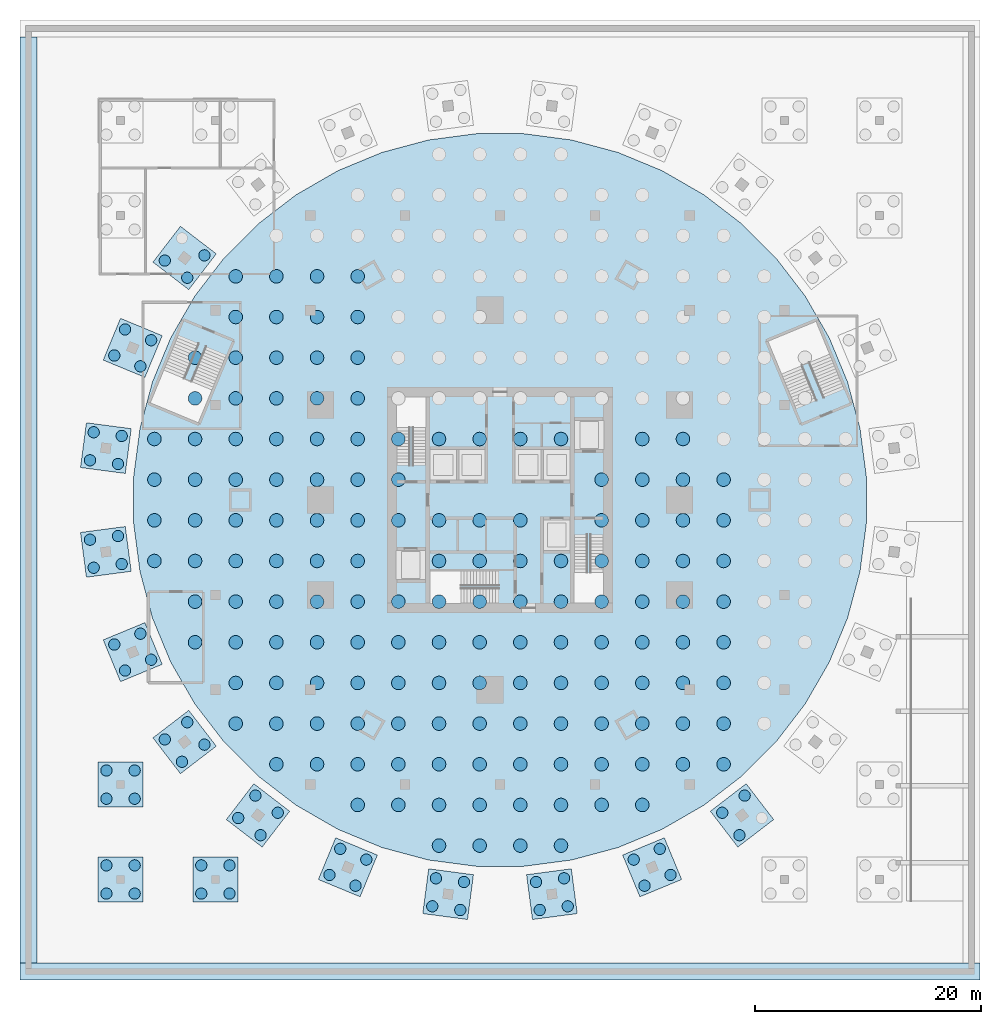
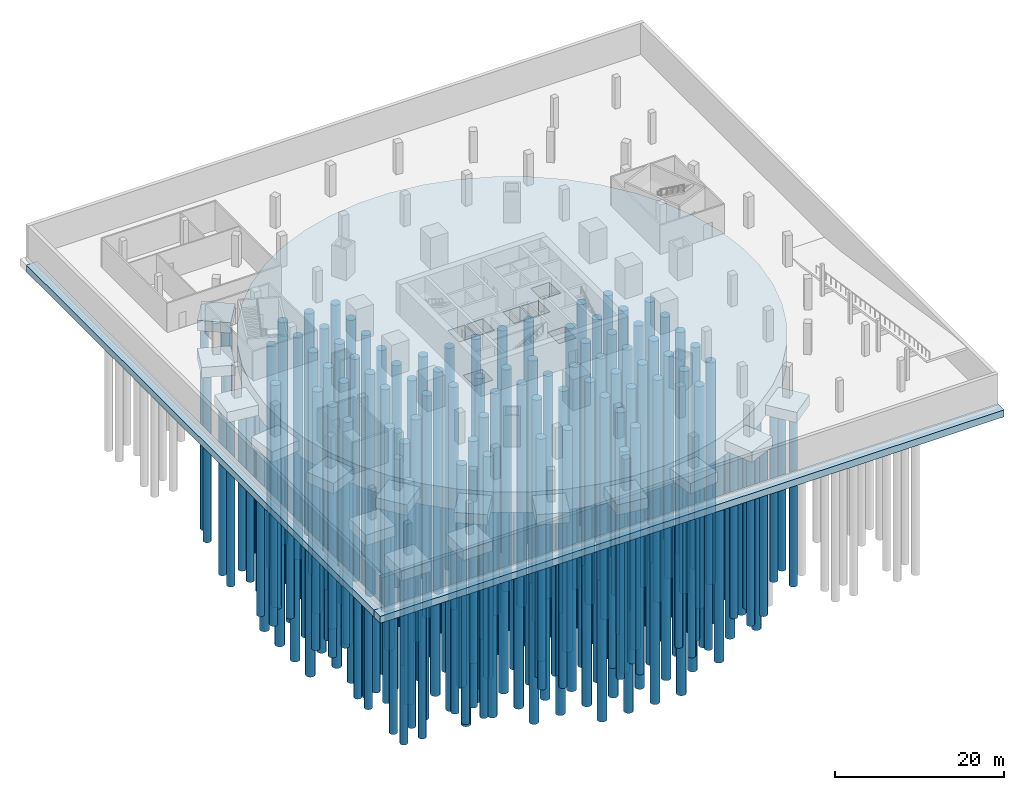
# One storey, part 1 of 12: 206 piles, 18 footings.
"""IFC4 building model written with IfcOpenShell, lengths in metres."""

from ifc_helpers import new_model, si_unit, direction, frame, origin, origin_2d, place, context, subcontext, project, spatial, polyline, rectangle, circle, outline, extrude, material, layer, layer_set, material_profile, profile_set, type_object, element, save


model = new_model("IFC4")

# Units and contexts
model_context = context("Model", 3, precision=1e-05, world=origin(), true_north=direction((0.0, 1.0)))
body_context = subcontext(model_context, "Body", "Model", "MODEL_VIEW")
ifc_project = project(units=[si_unit("LENGTHUNIT", "METRE"), si_unit("AREAUNIT", "SQUARE_METRE"), si_unit("VOLUMEUNIT", "CUBIC_METRE"), si_unit("PLANEANGLEUNIT", "RADIAN"), si_unit("MASSUNIT", "GRAM", prefix="KILO")], contexts=[model_context])

# Site, building, storey
site_placement = place(None, origin())
site = spatial("IfcSite", under=ifc_project, at=site_placement, CompositionType="ELEMENT")
building_placement = place(site_placement, origin())
building = spatial("IfcBuilding", under=site, at=building_placement, Name="Golbaran Civic Tower", CompositionType="ELEMENT")
storey_placement = place(building_placement, frame((0.0, 0.0, -13.5)))
storey = spatial("IfcBuildingStorey", under=building, at=storey_placement, Name="B3", CompositionType="ELEMENT", Elevation=-13.5)

# Piles
ifc_material_1 = material(Name="Concrete C35/45", Category="concrete")
ifc_material_profile_1 = material_profile(ifc_material_1, circle(Radius=0.5, at=origin_2d()), Name="BORED PILE D1000")
ifc_profile_set_1 = profile_set([ifc_material_profile_1], Name="Concrete C35/45")
pile_type_1 = type_object("IfcPileType", Name="BORED PILE D1000", PredefinedType="BORED", material=ifc_profile_set_1)
for number, where, z_axis, x_axis, name in (
    (1, (-34.85009765625, -34.85009765625, -2.10009765625), (0.0, 0.0, -1.0), (1.0, 0.0, 0.0), "Pile 2B-1"),
    (2, (-32.35009765625, -34.85009765625, -2.10009765625), (0.0, 0.0, -1.0), (1.0, 0.0, 0.0), "Pile 2B-2"),
    (3, (-32.35009765625, -32.35009765625, -2.10009765625), (0.0, 0.0, -1.0), (1.0, 0.0, 0.0), "Pile 2B-3"),
    (4, (-34.85009765625, -32.35009765625, -2.10009765625), (0.0, 0.0, -1.0), (1.0, 0.0, 0.0), "Pile 2B-4"),
    (5, (-34.85009765625, -26.449951171875, -2.10009765625), (0.0, 0.0, -1.0), (1.0, 0.0, 0.0), "Pile 2C-1"),
    (6, (-32.35009765625, -26.449951171875, -2.10009765625), (0.0, 0.0, -1.0), (1.0, 0.0, 0.0), "Pile 2C-2"),
    (7, (-32.35009765625, -23.949951171875, -2.10009765625), (0.0, 0.0, -1.0), (1.0, 0.0, 0.0), "Pile 2C-3"),
    (8, (-34.85009765625, -23.949951171875, -2.10009765625), (0.0, 0.0, -1.0), (1.0, 0.0, 0.0), "Pile 2C-4"),
    (9, (-26.449951171875, -34.85009765625, -2.10009765625), (0.0, 0.0, -1.0), (1.0, 0.0, 0.0), "Pile 3B-1"),
    (10, (-23.949951171875, -34.85009765625, -2.10009765625), (0.0, 0.0, -1.0), (1.0, 0.0, 0.0), "Pile 3B-2"),
    (11, (-23.949951171875, -32.35009765625, -2.10009765625), (0.0, 0.0, -1.0), (1.0, 0.0, 0.0), "Pile 3B-3"),
    (12, (-26.449951171875, -32.35009765625, -2.10009765625), (0.0, 0.0, -1.0), (1.0, 0.0, 0.0), "Pile 3B-4"),
    (13, (-26.17333984375, 21.6591796875, -2.10009765625), (0.0, 0.0, -1.0), (1.0, 0.0, 0.0), "Pile R1425-1"),
    (14, (-29.6787109375, 21.19775390625, -2.10009765625), (0.0, 0.0, -1.0), (1.0, 0.0, 0.0), "Pile R1425-3"),
    (15, (-27.6953125, 19.67578125, -2.10009765625), (0.0, 0.0, -1.0), (1.0, 0.0, 0.0), "Pile R1425-4"),
    (16, (-30.887451171875, 14.14697265625, -2.10009765625), (0.0, 0.0, -1.0), (1.0, 0.0, 0.0), "Pile R1575-1"),
    (17, (-33.197021484375, 15.103759765625, -2.10009765625), (0.0, 0.0, -1.0), (1.0, 0.0, 0.0), "Pile R1575-2"),
    (18, (-34.15380859375, 12.7939453125, -2.10009765625), (0.0, 0.0, -1.0), (1.0, 0.0, 0.0), "Pile R1575-3"),
    (19, (-31.843994140625, 11.837158203125, -2.10009765625), (0.0, 0.0, -1.0), (1.0, 0.0, 0.0), "Pile R1575-4"),
    (20, (-33.496337890625, 5.670654296875, -2.10009765625), (0.0, 0.0, -1.0), (1.0, 0.0, 0.0), "Pile R1725-1"),
    (21, (-35.97509765625, 5.9970703125, -2.10009765625), (0.0, 0.0, -1.0), (1.0, 0.0, 0.0), "Pile R1725-2"),
    (22, (-36.30126953125, 3.518310546875, -2.10009765625), (0.0, 0.0, -1.0), (1.0, 0.0, 0.0), "Pile R1725-3"),
    (23, (-33.82275390625, 3.192138671875, -2.10009765625), (0.0, 0.0, -1.0), (1.0, 0.0, 0.0), "Pile R1725-4"),
    (24, (-33.82275390625, -3.192138671875, -2.10009765625), (0.0, 0.0, -1.0), (1.0, 0.0, 0.0), "Pile R1875-1"),
    (25, (-36.30126953125, -3.518310546875, -2.10009765625), (0.0, 0.0, -1.0), (1.0, 0.0, 0.0), "Pile R1875-2"),
    (26, (-35.97509765625, -5.9970703125, -2.10009765625), (0.0, 0.0, -1.0), (1.0, 0.0, 0.0), "Pile R1875-3"),
    (27, (-33.496337890625, -5.670654296875, -2.10009765625), (0.0, 0.0, -1.0), (1.0, 0.0, 0.0), "Pile R1875-4"),
    (28, (-31.843994140625, -11.837158203125, -2.10009765625), (0.0, 0.0, -1.0), (1.0, 0.0, 0.0), "Pile R2025-1"),
    (29, (-34.15380859375, -12.7939453125, -2.10009765625), (0.0, 0.0, -1.0), (1.0, 0.0, 0.0), "Pile R2025-2"),
    (30, (-33.197021484375, -15.103759765625, -2.10009765625), (0.0, 0.0, -1.0), (1.0, 0.0, 0.0), "Pile R2025-3"),
    (31, (-30.887451171875, -14.14697265625, -2.10009765625), (0.0, 0.0, -1.0), (1.0, 0.0, 0.0), "Pile R2025-4"),
    (32, (-27.6953125, -19.67578125, -2.10009765625), (0.0, 0.0, -1.0), (1.0, 0.0, 0.0), "Pile R2175-1"),
    (33, (-29.6787109375, -21.19775390625, -2.10009765625), (0.0, 0.0, -1.0), (1.0, 0.0, 0.0), "Pile R2175-2"),
    (34, (-28.15673828125, -23.18115234375, -2.10009765625), (0.0, 0.0, -1.0), (1.0, 0.0, 0.0), "Pile R2175-3"),
    (35, (-26.17333984375, -21.6591796875, -2.10009765625), (0.0, 0.0, -1.0), (1.0, 0.0, 0.0), "Pile R2175-4"),
    (36, (-21.6591796875, -26.17333984375, -2.10009765625), (0.0, 0.0, -1.0), (1.0, 0.0, 0.0), "Pile R2325-1"),
    (37, (-23.18115234375, -28.15673828125, -2.10009765625), (0.0, 0.0, -1.0), (1.0, 0.0, 0.0), "Pile R2325-2"),
    (38, (-21.19775390625, -29.6787109375, -2.10009765625), (0.0, 0.0, -1.0), (1.0, 0.0, 0.0), "Pile R2325-3"),
    (39, (-19.67578125, -27.6953125, -2.10009765625), (0.0, 0.0, -1.0), (1.0, 0.0, 0.0), "Pile R2325-4"),
    (40, (-14.14697265625, -30.887451171875, -2.10009765625), (0.0, 0.0, -1.0), (1.0, 0.0, 0.0), "Pile R2475-1"),
    (41, (-15.103759765625, -33.197021484375, -2.10009765625), (0.0, 0.0, -1.0), (1.0, 0.0, 0.0), "Pile R2475-2"),
    (42, (-12.7939453125, -34.15380859375, -2.10009765625), (0.0, 0.0, -1.0), (1.0, 0.0, 0.0), "Pile R2475-3"),
    (43, (-11.837158203125, -31.843994140625, -2.10009765625), (0.0, 0.0, -1.0), (1.0, 0.0, 0.0), "Pile R2475-4"),
    (44, (-5.670654296875, -33.496337890625, -2.10009765625), (0.0, 0.0, -1.0), (1.0, 0.0, 0.0), "Pile R2625-1"),
    (45, (-5.9970703125, -35.97509765625, -2.10009765625), (0.0, 0.0, -1.0), (1.0, 0.0, 0.0), "Pile R2625-2"),
    (46, (-3.518310546875, -36.30126953125, -2.10009765625), (0.0, 0.0, -1.0), (1.0, 0.0, 0.0), "Pile R2625-3"),
    (47, (-3.192138671875, -33.82275390625, -2.10009765625), (0.0, 0.0, -1.0), (1.0, 0.0, 0.0), "Pile R2625-4"),
    (48, (3.192138671875, -33.82275390625, -2.10009765625), (0.0, 0.0, -1.0), (1.0, 0.0, 0.0), "Pile R2775-1"),
    (49, (3.518310546875, -36.30126953125, -2.10009765625), (0.0, 0.0, -1.0), (1.0, 0.0, 0.0), "Pile R2775-2"),
    (50, (5.9970703125, -35.97509765625, -2.10009765625), (0.0, 0.0, -1.0), (1.0, 0.0, 0.0), "Pile R2775-3"),
    (51, (5.670654296875, -33.496337890625, -2.10009765625), (0.0, 0.0, -1.0), (1.0, 0.0, 0.0), "Pile R2775-4"),
    (52, (11.837158203125, -31.843994140625, -2.10009765625), (0.0, 0.0, -1.0), (1.0, 0.0, 0.0), "Pile R2925-1"),
    (53, (12.7939453125, -34.15380859375, -2.10009765625), (0.0, 0.0, -1.0), (1.0, 0.0, 0.0), "Pile R2925-2"),
    (54, (15.103759765625, -33.197021484375, -2.10009765625), (0.0, 0.0, -1.0), (1.0, 0.0, 0.0), "Pile R2925-3"),
    (55, (14.14697265625, -30.887451171875, -2.10009765625), (0.0, 0.0, -1.0), (1.0, 0.0, 0.0), "Pile R2925-4"),
    (56, (19.67578125, -27.6953125, -2.10009765625), (0.0, 0.0, -1.0), (1.0, 0.0, 0.0), "Pile R3075-1"),
    (57, (21.19775390625, -29.6787109375, -2.10009765625), (0.0, 0.0, -1.0), (1.0, 0.0, 0.0), "Pile R3075-2"),
    (58, (21.6591796875, -26.17333984375, -2.10009765625), (0.0, 0.0, -1.0), (1.0, 0.0, 0.0), "Pile R3075-4"),
):
    element("IfcPile", number, at=place(storey_placement, frame(where, z_axis=z_axis, x_axis=x_axis)), inside=storey, type_object=pile_type_1, Name=name, PredefinedType="BORED", context=body_context, shape_type="SweptSolid", body=[
        extrude(circle(Radius=0.5, at=origin_2d()), origin(), (0.0, 0.0, 1.0), 24.0),
    ])
ifc_material_profile_2 = material_profile(ifc_material_1, circle(Radius=0.60009765625, at=origin_2d()), Name="BORED PILE D1200")
ifc_profile_set_2 = profile_set([ifc_material_profile_2], Name="Concrete C35/45")
pile_type_2 = type_object("IfcPileType", Name="BORED PILE D1200", PredefinedType="BORED", material=ifc_profile_set_2)
for number, where, z_axis, x_axis, name in (
    (59, (-30.60009765625, -5.39990234375, -3.60009765625), (0.0, 0.0, -1.0), (1.0, 0.0, 0.0), "Raft pile 1"),
    (60, (-30.60009765625, -1.800048828125, -3.60009765625), (0.0, 0.0, -1.0), (1.0, 0.0, 0.0), "Raft pile 2"),
    (61, (-30.60009765625, 1.800048828125, -3.60009765625), (0.0, 0.0, -1.0), (1.0, 0.0, 0.0), "Raft pile 3"),
    (62, (-30.60009765625, 5.39990234375, -3.60009765625), (0.0, 0.0, -1.0), (1.0, 0.0, 0.0), "Raft pile 4"),
    (63, (-27.0, -12.60009765625, -3.60009765625), (0.0, 0.0, -1.0), (1.0, 0.0, 0.0), "Raft pile 5"),
    (64, (-27.0, -9.0, -3.60009765625), (0.0, 0.0, -1.0), (1.0, 0.0, 0.0), "Raft pile 6"),
    (65, (-27.0, -5.39990234375, -3.60009765625), (0.0, 0.0, -1.0), (1.0, 0.0, 0.0), "Raft pile 7"),
    (66, (-27.0, -1.800048828125, -3.60009765625), (0.0, 0.0, -1.0), (1.0, 0.0, 0.0), "Raft pile 8"),
    (67, (-27.0, 1.800048828125, -3.60009765625), (0.0, 0.0, -1.0), (1.0, 0.0, 0.0), "Raft pile 9"),
    (68, (-27.0, 5.39990234375, -3.60009765625), (0.0, 0.0, -1.0), (1.0, 0.0, 0.0), "Raft pile 10"),
    (69, (-27.0, 9.0, -3.60009765625), (0.0, 0.0, -1.0), (1.0, 0.0, 0.0), "Raft pile 11"),
    (70, (-27.0, 12.60009765625, -3.60009765625), (0.0, 0.0, -1.0), (1.0, 0.0, 0.0), "Raft pile 12"),
    (71, (-23.39990234375, -19.800048828125, -3.60009765625), (0.0, 0.0, -1.0), (1.0, 0.0, 0.0), "Raft pile 13"),
    (72, (-23.39990234375, -16.199951171875, -3.60009765625), (0.0, 0.0, -1.0), (1.0, 0.0, 0.0), "Raft pile 14"),
    (73, (-23.39990234375, -12.60009765625, -3.60009765625), (0.0, 0.0, -1.0), (1.0, 0.0, 0.0), "Raft pile 15"),
    (74, (-23.39990234375, -9.0, -3.60009765625), (0.0, 0.0, -1.0), (1.0, 0.0, 0.0), "Raft pile 16"),
    (75, (-23.39990234375, -5.39990234375, -3.60009765625), (0.0, 0.0, -1.0), (1.0, 0.0, 0.0), "Raft pile 17"),
    (76, (-23.39990234375, -1.800048828125, -3.60009765625), (0.0, 0.0, -1.0), (1.0, 0.0, 0.0), "Raft pile 18"),
    (77, (-23.39990234375, 1.800048828125, -3.60009765625), (0.0, 0.0, -1.0), (1.0, 0.0, 0.0), "Raft pile 19"),
    (78, (-23.39990234375, 5.39990234375, -3.60009765625), (0.0, 0.0, -1.0), (1.0, 0.0, 0.0), "Raft pile 20"),
    (79, (-23.39990234375, 9.0, -3.60009765625), (0.0, 0.0, -1.0), (1.0, 0.0, 0.0), "Raft pile 21"),
    (80, (-23.39990234375, 12.60009765625, -3.60009765625), (0.0, 0.0, -1.0), (1.0, 0.0, 0.0), "Raft pile 22"),
    (81, (-23.39990234375, 16.199951171875, -3.60009765625), (0.0, 0.0, -1.0), (1.0, 0.0, 0.0), "Raft pile 23"),
    (82, (-23.39990234375, 19.800048828125, -3.60009765625), (0.0, 0.0, -1.0), (1.0, 0.0, 0.0), "Raft pile 24"),
    (83, (-19.800048828125, -23.39990234375, -3.60009765625), (0.0, 0.0, -1.0), (1.0, 0.0, 0.0), "Raft pile 25"),
    (84, (-19.800048828125, -19.800048828125, -3.60009765625), (0.0, 0.0, -1.0), (1.0, 0.0, 0.0), "Raft pile 26"),
    (85, (-19.800048828125, -16.199951171875, -3.60009765625), (0.0, 0.0, -1.0), (1.0, 0.0, 0.0), "Raft pile 27"),
    (86, (-19.800048828125, -12.60009765625, -3.60009765625), (0.0, 0.0, -1.0), (1.0, 0.0, 0.0), "Raft pile 28"),
    (87, (-19.800048828125, -9.0, -3.60009765625), (0.0, 0.0, -1.0), (1.0, 0.0, 0.0), "Raft pile 29"),
    (88, (-19.800048828125, -5.39990234375, -3.60009765625), (0.0, 0.0, -1.0), (1.0, 0.0, 0.0), "Raft pile 30"),
    (89, (-19.800048828125, -1.800048828125, -3.60009765625), (0.0, 0.0, -1.0), (1.0, 0.0, 0.0), "Raft pile 31"),
    (90, (-19.800048828125, 1.800048828125, -3.60009765625), (0.0, 0.0, -1.0), (1.0, 0.0, 0.0), "Raft pile 32"),
    (91, (-19.800048828125, 5.39990234375, -3.60009765625), (0.0, 0.0, -1.0), (1.0, 0.0, 0.0), "Raft pile 33"),
    (92, (-19.800048828125, 9.0, -3.60009765625), (0.0, 0.0, -1.0), (1.0, 0.0, 0.0), "Raft pile 34"),
    (93, (-19.800048828125, 12.60009765625, -3.60009765625), (0.0, 0.0, -1.0), (1.0, 0.0, 0.0), "Raft pile 35"),
    (94, (-19.800048828125, 16.199951171875, -3.60009765625), (0.0, 0.0, -1.0), (1.0, 0.0, 0.0), "Raft pile 36"),
    (95, (-19.800048828125, 19.800048828125, -3.60009765625), (0.0, 0.0, -1.0), (1.0, 0.0, 0.0), "Raft pile 37"),
    (96, (-16.199951171875, -23.39990234375, -3.60009765625), (0.0, 0.0, -1.0), (1.0, 0.0, 0.0), "Raft pile 39"),
    (97, (-16.199951171875, -19.800048828125, -3.60009765625), (0.0, 0.0, -1.0), (1.0, 0.0, 0.0), "Raft pile 40"),
    (98, (-16.199951171875, -16.199951171875, -3.60009765625), (0.0, 0.0, -1.0), (1.0, 0.0, 0.0), "Raft pile 41"),
    (99, (-16.199951171875, -12.60009765625, -3.60009765625), (0.0, 0.0, -1.0), (1.0, 0.0, 0.0), "Raft pile 42"),
    (100, (-16.199951171875, -9.0, -3.60009765625), (0.0, 0.0, -1.0), (1.0, 0.0, 0.0), "Raft pile 43"),
    (101, (-16.199951171875, -5.39990234375, -3.60009765625), (0.0, 0.0, -1.0), (1.0, 0.0, 0.0), "Raft pile 44"),
    (102, (-16.199951171875, -1.800048828125, -3.60009765625), (0.0, 0.0, -1.0), (1.0, 0.0, 0.0), "Raft pile 45"),
    (103, (-16.199951171875, 1.800048828125, -3.60009765625), (0.0, 0.0, -1.0), (1.0, 0.0, 0.0), "Raft pile 46"),
    (104, (-16.199951171875, 5.39990234375, -3.60009765625), (0.0, 0.0, -1.0), (1.0, 0.0, 0.0), "Raft pile 47"),
    (105, (-16.199951171875, 9.0, -3.60009765625), (0.0, 0.0, -1.0), (1.0, 0.0, 0.0), "Raft pile 48"),
    (106, (-16.199951171875, 12.60009765625, -3.60009765625), (0.0, 0.0, -1.0), (1.0, 0.0, 0.0), "Raft pile 49"),
    (107, (-16.199951171875, 16.199951171875, -3.60009765625), (0.0, 0.0, -1.0), (1.0, 0.0, 0.0), "Raft pile 50"),
    (108, (-16.199951171875, 19.800048828125, -3.60009765625), (0.0, 0.0, -1.0), (1.0, 0.0, 0.0), "Raft pile 51"),
    (109, (-12.60009765625, -27.0, -3.60009765625), (0.0, 0.0, -1.0), (1.0, 0.0, 0.0), "Raft pile 53"),
    (110, (-12.60009765625, -23.39990234375, -3.60009765625), (0.0, 0.0, -1.0), (1.0, 0.0, 0.0), "Raft pile 54"),
    (111, (-12.60009765625, -19.800048828125, -3.60009765625), (0.0, 0.0, -1.0), (1.0, 0.0, 0.0), "Raft pile 55"),
    (112, (-12.60009765625, -16.199951171875, -3.60009765625), (0.0, 0.0, -1.0), (1.0, 0.0, 0.0), "Raft pile 56"),
    (113, (-12.60009765625, -12.60009765625, -3.60009765625), (0.0, 0.0, -1.0), (1.0, 0.0, 0.0), "Raft pile 57"),
    (114, (-12.60009765625, -9.0, -3.60009765625), (0.0, 0.0, -1.0), (1.0, 0.0, 0.0), "Raft pile 58"),
    (115, (-12.60009765625, -5.39990234375, -3.60009765625), (0.0, 0.0, -1.0), (1.0, 0.0, 0.0), "Raft pile 59"),
    (116, (-12.60009765625, -1.800048828125, -3.60009765625), (0.0, 0.0, -1.0), (1.0, 0.0, 0.0), "Raft pile 60"),
    (117, (-12.60009765625, 1.800048828125, -3.60009765625), (0.0, 0.0, -1.0), (1.0, 0.0, 0.0), "Raft pile 61"),
    (118, (-12.60009765625, 5.39990234375, -3.60009765625), (0.0, 0.0, -1.0), (1.0, 0.0, 0.0), "Raft pile 62"),
    (119, (-12.60009765625, 9.0, -3.60009765625), (0.0, 0.0, -1.0), (1.0, 0.0, 0.0), "Raft pile 63"),
    (120, (-12.60009765625, 12.60009765625, -3.60009765625), (0.0, 0.0, -1.0), (1.0, 0.0, 0.0), "Raft pile 64"),
    (121, (-12.60009765625, 16.199951171875, -3.60009765625), (0.0, 0.0, -1.0), (1.0, 0.0, 0.0), "Raft pile 65"),
    (122, (-12.60009765625, 19.800048828125, -3.60009765625), (0.0, 0.0, -1.0), (1.0, 0.0, 0.0), "Raft pile 66"),
    (123, (-9.0, -27.0, -3.60009765625), (0.0, 0.0, -1.0), (1.0, 0.0, 0.0), "Raft pile 69"),
    (124, (-9.0, -23.39990234375, -3.60009765625), (0.0, 0.0, -1.0), (1.0, 0.0, 0.0), "Raft pile 70"),
    (125, (-9.0, -19.800048828125, -3.60009765625), (0.0, 0.0, -1.0), (1.0, 0.0, 0.0), "Raft pile 71"),
    (126, (-9.0, -16.199951171875, -3.60009765625), (0.0, 0.0, -1.0), (1.0, 0.0, 0.0), "Raft pile 72"),
    (127, (-9.0, -12.60009765625, -3.60009765625), (0.0, 0.0, -1.0), (1.0, 0.0, 0.0), "Raft pile 73"),
    (128, (-9.0, -9.0, -3.60009765625), (0.0, 0.0, -1.0), (1.0, 0.0, 0.0), "Raft pile 74"),
    (129, (-9.0, -1.800048828125, -3.60009765625), (0.0, 0.0, -1.0), (1.0, 0.0, 0.0), "Raft pile 75"),
    (130, (-9.0, 1.800048828125, -3.60009765625), (0.0, 0.0, -1.0), (1.0, 0.0, 0.0), "Raft pile 76"),
    (131, (-9.0, 5.39990234375, -3.60009765625), (0.0, 0.0, -1.0), (1.0, 0.0, 0.0), "Raft pile 77"),
    (132, (-5.39990234375, -30.60009765625, -3.60009765625), (0.0, 0.0, -1.0), (1.0, 0.0, 0.0), "Raft pile 84"),
    (133, (-5.39990234375, -27.0, -3.60009765625), (0.0, 0.0, -1.0), (1.0, 0.0, 0.0), "Raft pile 85"),
    (134, (-5.39990234375, -23.39990234375, -3.60009765625), (0.0, 0.0, -1.0), (1.0, 0.0, 0.0), "Raft pile 86"),
    (135, (-5.39990234375, -19.800048828125, -3.60009765625), (0.0, 0.0, -1.0), (1.0, 0.0, 0.0), "Raft pile 87"),
    (136, (-5.39990234375, -16.199951171875, -3.60009765625), (0.0, 0.0, -1.0), (1.0, 0.0, 0.0), "Raft pile 88"),
    (137, (-5.39990234375, -12.60009765625, -3.60009765625), (0.0, 0.0, -1.0), (1.0, 0.0, 0.0), "Raft pile 89"),
    (138, (-5.39990234375, -9.0, -3.60009765625), (0.0, 0.0, -1.0), (1.0, 0.0, 0.0), "Raft pile 90"),
    (139, (-5.39990234375, -5.39990234375, -3.60009765625), (0.0, 0.0, -1.0), (1.0, 0.0, 0.0), "Raft pile 91"),
    (140, (-5.39990234375, -1.800048828125, -3.60009765625), (0.0, 0.0, -1.0), (1.0, 0.0, 0.0), "Raft pile 92"),
    (141, (-5.39990234375, 5.39990234375, -3.60009765625), (0.0, 0.0, -1.0), (1.0, 0.0, 0.0), "Raft pile 93"),
    (142, (-1.800048828125, -30.60009765625, -3.60009765625), (0.0, 0.0, -1.0), (1.0, 0.0, 0.0), "Raft pile 101"),
    (143, (-1.800048828125, -27.0, -3.60009765625), (0.0, 0.0, -1.0), (1.0, 0.0, 0.0), "Raft pile 102"),
    (144, (-1.800048828125, -23.39990234375, -3.60009765625), (0.0, 0.0, -1.0), (1.0, 0.0, 0.0), "Raft pile 103"),
    (145, (-1.800048828125, -19.800048828125, -3.60009765625), (0.0, 0.0, -1.0), (1.0, 0.0, 0.0), "Raft pile 104"),
    (146, (-1.800048828125, -16.199951171875, -3.60009765625), (0.0, 0.0, -1.0), (1.0, 0.0, 0.0), "Raft pile 105"),
    (147, (-1.800048828125, -12.60009765625, -3.60009765625), (0.0, 0.0, -1.0), (1.0, 0.0, 0.0), "Raft pile 106"),
    (148, (-1.800048828125, -9.0, -3.60009765625), (0.0, 0.0, -1.0), (1.0, 0.0, 0.0), "Raft pile 107"),
    (149, (-1.800048828125, -5.39990234375, -3.60009765625), (0.0, 0.0, -1.0), (1.0, 0.0, 0.0), "Raft pile 108"),
    (150, (-1.800048828125, -1.800048828125, -3.60009765625), (0.0, 0.0, -1.0), (1.0, 0.0, 0.0), "Raft pile 109"),
    (151, (-1.800048828125, 5.39990234375, -3.60009765625), (0.0, 0.0, -1.0), (1.0, 0.0, 0.0), "Raft pile 110"),
    (152, (1.800048828125, -30.60009765625, -3.60009765625), (0.0, 0.0, -1.0), (1.0, 0.0, 0.0), "Raft pile 118"),
    (153, (1.800048828125, -27.0, -3.60009765625), (0.0, 0.0, -1.0), (1.0, 0.0, 0.0), "Raft pile 119"),
    (154, (1.800048828125, -23.39990234375, -3.60009765625), (0.0, 0.0, -1.0), (1.0, 0.0, 0.0), "Raft pile 120"),
    (155, (1.800048828125, -19.800048828125, -3.60009765625), (0.0, 0.0, -1.0), (1.0, 0.0, 0.0), "Raft pile 121"),
    (156, (1.800048828125, -16.199951171875, -3.60009765625), (0.0, 0.0, -1.0), (1.0, 0.0, 0.0), "Raft pile 122"),
    (157, (1.800048828125, -12.60009765625, -3.60009765625), (0.0, 0.0, -1.0), (1.0, 0.0, 0.0), "Raft pile 123"),
    (158, (1.800048828125, -9.0, -3.60009765625), (0.0, 0.0, -1.0), (1.0, 0.0, 0.0), "Raft pile 124"),
    (159, (1.800048828125, -5.39990234375, -3.60009765625), (0.0, 0.0, -1.0), (1.0, 0.0, 0.0), "Raft pile 125"),
    (160, (1.800048828125, -1.800048828125, -3.60009765625), (0.0, 0.0, -1.0), (1.0, 0.0, 0.0), "Raft pile 126"),
    (161, (1.800048828125, 5.39990234375, -3.60009765625), (0.0, 0.0, -1.0), (1.0, 0.0, 0.0), "Raft pile 127"),
    (162, (5.39990234375, -30.60009765625, -3.60009765625), (0.0, 0.0, -1.0), (1.0, 0.0, 0.0), "Raft pile 135"),
    (163, (5.39990234375, -27.0, -3.60009765625), (0.0, 0.0, -1.0), (1.0, 0.0, 0.0), "Raft pile 136"),
    (164, (5.39990234375, -23.39990234375, -3.60009765625), (0.0, 0.0, -1.0), (1.0, 0.0, 0.0), "Raft pile 137"),
    (165, (5.39990234375, -19.800048828125, -3.60009765625), (0.0, 0.0, -1.0), (1.0, 0.0, 0.0), "Raft pile 138"),
    (166, (5.39990234375, -16.199951171875, -3.60009765625), (0.0, 0.0, -1.0), (1.0, 0.0, 0.0), "Raft pile 139"),
    (167, (5.39990234375, -12.60009765625, -3.60009765625), (0.0, 0.0, -1.0), (1.0, 0.0, 0.0), "Raft pile 140"),
    (168, (5.39990234375, -9.0, -3.60009765625), (0.0, 0.0, -1.0), (1.0, 0.0, 0.0), "Raft pile 141"),
    (169, (5.39990234375, -5.39990234375, -3.60009765625), (0.0, 0.0, -1.0), (1.0, 0.0, 0.0), "Raft pile 142"),
    (170, (5.39990234375, 5.39990234375, -3.60009765625), (0.0, 0.0, -1.0), (1.0, 0.0, 0.0), "Raft pile 143"),
    (171, (9.0, -27.0, -3.60009765625), (0.0, 0.0, -1.0), (1.0, 0.0, 0.0), "Raft pile 151"),
    (172, (9.0, -23.39990234375, -3.60009765625), (0.0, 0.0, -1.0), (1.0, 0.0, 0.0), "Raft pile 152"),
    (173, (9.0, -19.800048828125, -3.60009765625), (0.0, 0.0, -1.0), (1.0, 0.0, 0.0), "Raft pile 153"),
    (174, (9.0, -16.199951171875, -3.60009765625), (0.0, 0.0, -1.0), (1.0, 0.0, 0.0), "Raft pile 154"),
    (175, (9.0, -12.60009765625, -3.60009765625), (0.0, 0.0, -1.0), (1.0, 0.0, 0.0), "Raft pile 155"),
    (176, (9.0, -9.0, -3.60009765625), (0.0, 0.0, -1.0), (1.0, 0.0, 0.0), "Raft pile 156"),
    (177, (9.0, -5.39990234375, -3.60009765625), (0.0, 0.0, -1.0), (1.0, 0.0, 0.0), "Raft pile 157"),
    (178, (9.0, -1.800048828125, -3.60009765625), (0.0, 0.0, -1.0), (1.0, 0.0, 0.0), "Raft pile 158"),
    (179, (9.0, 1.800048828125, -3.60009765625), (0.0, 0.0, -1.0), (1.0, 0.0, 0.0), "Raft pile 159"),
    (180, (12.60009765625, -27.0, -3.60009765625), (0.0, 0.0, -1.0), (1.0, 0.0, 0.0), "Raft pile 166"),
    (181, (12.60009765625, -23.39990234375, -3.60009765625), (0.0, 0.0, -1.0), (1.0, 0.0, 0.0), "Raft pile 167"),
    (182, (12.60009765625, -19.800048828125, -3.60009765625), (0.0, 0.0, -1.0), (1.0, 0.0, 0.0), "Raft pile 168"),
    (183, (12.60009765625, -16.199951171875, -3.60009765625), (0.0, 0.0, -1.0), (1.0, 0.0, 0.0), "Raft pile 169"),
    (184, (12.60009765625, -12.60009765625, -3.60009765625), (0.0, 0.0, -1.0), (1.0, 0.0, 0.0), "Raft pile 170"),
    (185, (12.60009765625, -9.0, -3.60009765625), (0.0, 0.0, -1.0), (1.0, 0.0, 0.0), "Raft pile 171"),
    (186, (12.60009765625, -5.39990234375, -3.60009765625), (0.0, 0.0, -1.0), (1.0, 0.0, 0.0), "Raft pile 172"),
    (187, (12.60009765625, -1.800048828125, -3.60009765625), (0.0, 0.0, -1.0), (1.0, 0.0, 0.0), "Raft pile 173"),
    (188, (12.60009765625, 1.800048828125, -3.60009765625), (0.0, 0.0, -1.0), (1.0, 0.0, 0.0), "Raft pile 174"),
    (189, (12.60009765625, 5.39990234375, -3.60009765625), (0.0, 0.0, -1.0), (1.0, 0.0, 0.0), "Raft pile 175"),
    (190, (16.199951171875, -23.39990234375, -3.60009765625), (0.0, 0.0, -1.0), (1.0, 0.0, 0.0), "Raft pile 182"),
    (191, (16.199951171875, -19.800048828125, -3.60009765625), (0.0, 0.0, -1.0), (1.0, 0.0, 0.0), "Raft pile 183"),
    (192, (16.199951171875, -16.199951171875, -3.60009765625), (0.0, 0.0, -1.0), (1.0, 0.0, 0.0), "Raft pile 184"),
    (193, (16.199951171875, -12.60009765625, -3.60009765625), (0.0, 0.0, -1.0), (1.0, 0.0, 0.0), "Raft pile 185"),
    (194, (16.199951171875, -9.0, -3.60009765625), (0.0, 0.0, -1.0), (1.0, 0.0, 0.0), "Raft pile 186"),
    (195, (16.199951171875, -5.39990234375, -3.60009765625), (0.0, 0.0, -1.0), (1.0, 0.0, 0.0), "Raft pile 187"),
    (196, (16.199951171875, -1.800048828125, -3.60009765625), (0.0, 0.0, -1.0), (1.0, 0.0, 0.0), "Raft pile 188"),
    (197, (16.199951171875, 1.800048828125, -3.60009765625), (0.0, 0.0, -1.0), (1.0, 0.0, 0.0), "Raft pile 189"),
    (198, (16.199951171875, 5.39990234375, -3.60009765625), (0.0, 0.0, -1.0), (1.0, 0.0, 0.0), "Raft pile 190"),
    (199, (19.800048828125, -23.39990234375, -3.60009765625), (0.0, 0.0, -1.0), (1.0, 0.0, 0.0), "Raft pile 196"),
    (200, (19.800048828125, -19.800048828125, -3.60009765625), (0.0, 0.0, -1.0), (1.0, 0.0, 0.0), "Raft pile 197"),
    (201, (19.800048828125, -16.199951171875, -3.60009765625), (0.0, 0.0, -1.0), (1.0, 0.0, 0.0), "Raft pile 198"),
    (202, (19.800048828125, -12.60009765625, -3.60009765625), (0.0, 0.0, -1.0), (1.0, 0.0, 0.0), "Raft pile 199"),
    (203, (19.800048828125, -9.0, -3.60009765625), (0.0, 0.0, -1.0), (1.0, 0.0, 0.0), "Raft pile 200"),
    (204, (19.800048828125, -5.39990234375, -3.60009765625), (0.0, 0.0, -1.0), (1.0, 0.0, 0.0), "Raft pile 201"),
    (205, (19.800048828125, -1.800048828125, -3.60009765625), (0.0, 0.0, -1.0), (1.0, 0.0, 0.0), "Raft pile 202"),
    (206, (19.800048828125, 1.800048828125, -3.60009765625), (0.0, 0.0, -1.0), (1.0, 0.0, 0.0), "Raft pile 203"),
):
    element("IfcPile", number, at=place(storey_placement, frame(where, z_axis=z_axis, x_axis=x_axis)), inside=storey, type_object=pile_type_2, Name=name, PredefinedType="BORED", context=body_context, shape_type="SweptSolid", body=[
        extrude(circle(Radius=0.60009765625, at=origin_2d()), origin(), (0.0, 0.0, 1.0), 32.0),
    ])

# Footings
ifc_material_2 = material(Name="Concrete C40/50", Category="concrete")
ifc_layer_1 = layer(ifc_material_2, 1.5, Name="Concrete C40/50")
ifc_layer_set_1 = layer_set([ifc_layer_1], Name="Concrete C40/50")
footing_type_1 = type_object("IfcFootingType", Name="PILE CAP 4000x4000x1500", PredefinedType="PILE_CAP", material=ifc_layer_set_1)
for number, where, z_axis, x_axis, name in (
    (207, (-33.60009765625, -33.60009765625, -2.10009765625), (0.0, 0.0, 1.0), (1.0, 0.0, 0.0), "Pile cap 2B"),
    (208, (-33.60009765625, -25.199951171875, -2.10009765625), (0.0, 0.0, 1.0), (1.0, 0.0, 0.0), "Pile cap 2C"),
    (209, (-25.199951171875, -33.60009765625, -2.10009765625), (0.0, 0.0, 1.0), (1.0, 0.0, 0.0), "Pile cap 3B"),
    (210, (-27.926025390625, 21.428466796875, -2.10009765625), (0.0, 0.0, 1.0), (-0.793353340291, 0.608761429009, 0.0), "Pile cap R1425"),
    (211, (-32.5205078125, 13.470458984375, -2.10009765625), (0.0, 0.0, 1.0), (-0.923879532511, 0.382683432365, 0.0), "Pile cap R1575"),
    (212, (-34.89892578125, 4.594482421875, -2.10009765625), (0.0, 0.0, 1.0), (-0.991444861374, 0.13052619222, 0.0), "Pile cap R1725"),
    (213, (-34.89892578125, -4.594482421875, -2.10009765625), (0.0, 0.0, 1.0), (-0.991444861374, -0.13052619222, 0.0), "Pile cap R1875"),
    (214, (-32.5205078125, -13.470458984375, -2.10009765625), (0.0, 0.0, 1.0), (-0.923879532511, -0.382683432365, 0.0), "Pile cap R2025"),
    (215, (-27.926025390625, -21.428466796875, -2.10009765625), (0.0, 0.0, 1.0), (-0.793353340291, -0.608761429009, 0.0), "Pile cap R2175"),
    (216, (-21.428466796875, -27.926025390625, -2.10009765625), (0.0, 0.0, 1.0), (-0.608761429009, -0.793353340291, 0.0), "Pile cap R2325"),
    (217, (-13.470458984375, -32.5205078125, -2.10009765625), (0.0, 0.0, 1.0), (-0.382683432365, -0.923879532511, 0.0), "Pile cap R2475"),
    (218, (-4.594482421875, -34.89892578125, -2.10009765625), (0.0, 0.0, 1.0), (-0.13052619222, -0.991444861374, 0.0), "Pile cap R2625"),
    (219, (4.594482421875, -34.89892578125, -2.10009765625), (0.0, 0.0, 1.0), (0.13052619222, -0.991444861374, 0.0), "Pile cap R2775"),
    (220, (13.470458984375, -32.5205078125, -2.10009765625), (0.0, 0.0, 1.0), (0.382683432365, -0.923879532511, 0.0), "Pile cap R2925"),
    (221, (21.428466796875, -27.926025390625, -2.10009765625), (0.0, 0.0, 1.0), (0.608761429009, -0.793353340291, 0.0), "Pile cap R3075"),
):
    element("IfcFooting", number, at=place(storey_placement, frame(where, z_axis=z_axis, x_axis=x_axis)), inside=storey, type_object=footing_type_1, Name=name, PredefinedType="PILE_CAP", context=body_context, shape_type="SweptSolid", body=[
        extrude(rectangle(XDim=4.0, YDim=4.0, at=origin_2d()), origin(), (0.0, 0.0, 1.0), 1.5),
    ])
ifc_layer_2 = layer(ifc_material_2, 3.0, Name="Concrete C40/50")
ifc_layer_set_2 = layer_set([ifc_layer_2], Name="Concrete C40/50")
footing_type_2 = type_object("IfcFootingType", Name="PILED RAFT 3000", PredefinedType="PILE_CAP", material=ifc_layer_set_2)
footing_1_placement = place(storey_placement, frame((0.0, 0.0, -3.60009765625)))
element("IfcFooting", 222, at=footing_1_placement, inside=storey, type_object=footing_type_2, Name="Tower piled raft RF1", PredefinedType="PILE_CAP", context=body_context, shape_type="SweptSolid", body=[
    extrude(outline(polyline([(32.430419921875, 2.12548828125), (31.87548828125, 6.34033203125), (30.775146484375, 10.44677734375), (29.1484375, 14.374267578125), (27.022705078125, 18.05615234375), (24.434814453125, 21.4287109375), (21.4287109375, 24.434814453125), (18.05615234375, 27.022705078125), (14.374267578125, 29.1484375), (10.44677734375, 30.775146484375), (6.34033203125, 31.87548828125), (2.12548828125, 32.430419921875), (-2.12548828125, 32.430419921875), (-6.34033203125, 31.87548828125), (-10.44677734375, 30.775146484375), (-14.374267578125, 29.1484375), (-18.05615234375, 27.022705078125), (-21.4287109375, 24.434814453125), (-24.434814453125, 21.4287109375), (-27.022705078125, 18.05615234375), (-29.1484375, 14.374267578125), (-30.775146484375, 10.44677734375), (-31.87548828125, 6.34033203125), (-32.430419921875, 2.12548828125), (-32.430419921875, -2.12548828125), (-31.87548828125, -6.34033203125), (-30.775146484375, -10.44677734375), (-29.1484375, -14.374267578125), (-27.022705078125, -18.05615234375), (-24.434814453125, -21.4287109375), (-21.4287109375, -24.434814453125), (-18.05615234375, -27.022705078125), (-14.374267578125, -29.1484375), (-10.44677734375, -30.775146484375), (-6.34033203125, -31.87548828125), (-2.12548828125, -32.430419921875), (2.12548828125, -32.430419921875), (6.34033203125, -31.87548828125), (10.44677734375, -30.775146484375), (14.374267578125, -29.1484375), (18.05615234375, -27.022705078125), (21.4287109375, -24.434814453125), (24.434814453125, -21.4287109375), (27.022705078125, -18.05615234375), (29.1484375, -14.374267578125), (30.775146484375, -10.44677734375), (31.87548828125, -6.34033203125), (32.430419921875, -2.12548828125), (32.430419921875, 2.12548828125)]), holes=[polyline([(-6.199951171875, 1.75), (-3.85009765625, 1.75), (-3.85009765625, 4.449951171875), (-6.199951171875, 4.449951171875), (-6.199951171875, 1.75)]), polyline([(-3.64990234375, 1.75), (-1.35009765625, 1.75), (-1.35009765625, 4.449951171875), (-3.64990234375, 4.449951171875), (-3.64990234375, 1.75)]), polyline([(1.35009765625, 1.75), (3.64990234375, 1.75), (3.64990234375, 4.449951171875), (1.35009765625, 4.449951171875), (1.35009765625, 1.75)]), polyline([(3.85009765625, 1.75), (6.199951171875, 1.75), (6.199951171875, 4.449951171875), (3.85009765625, 4.449951171875), (3.85009765625, 1.75)]), polyline([(3.85009765625, -4.449951171875), (6.199951171875, -4.449951171875), (6.199951171875, -1.75), (3.85009765625, -1.75), (3.85009765625, -4.449951171875)]), polyline([(-9.199951171875, -7.050048828125), (-6.60009765625, -7.050048828125), (-6.60009765625, -4.449951171875), (-9.199951171875, -4.449951171875), (-9.199951171875, -7.050048828125)]), polyline([(6.60009765625, 4.449951171875), (9.199951171875, 4.449951171875), (9.199951171875, 7.050048828125), (6.60009765625, 7.050048828125), (6.60009765625, 4.449951171875)])]), origin(), (0.0, 0.0, 1.0), 3.0),
])
ifc_layer_3 = layer(ifc_material_2, 1.0, Name="Concrete C40/50")
ifc_layer_set_3 = layer_set([ifc_layer_3], Name="Concrete C40/50")
footing_type_3 = type_object("IfcFootingType", Name="STRIP FOOTING 1500x1000", PredefinedType="STRIP_FOOTING", material=ifc_layer_set_3)
footing_2_placement = place(storey_placement, frame((0.0, -41.75, -1.60009765625), z_axis=(0.0, 0.0, 1.0), x_axis=(1.0, 0.0, 0.0)))
element("IfcFooting", 223, at=footing_2_placement, inside=storey, type_object=footing_type_3, Name="Strip footing S", PredefinedType="STRIP_FOOTING", context=body_context, shape_type="SweptSolid", body=[
    extrude(rectangle(XDim=85.0, YDim=1.5, at=origin_2d()), origin(), (0.0, 0.0, 1.0), 1.0),
])
footing_3_placement = place(storey_placement, frame((-41.75, 0.0, -1.60009765625), z_axis=(0.0, 0.0, 1.0), x_axis=(1.0, 0.0, 0.0)))
element("IfcFooting", 224, at=footing_3_placement, inside=storey, type_object=footing_type_3, Name="Strip footing W", PredefinedType="STRIP_FOOTING", context=body_context, shape_type="SweptSolid", body=[
    extrude(rectangle(XDim=1.5, YDim=82.0, at=origin_2d()), origin(), (0.0, 0.0, 1.0), 1.0),
])

save(model, "model.ifc")
